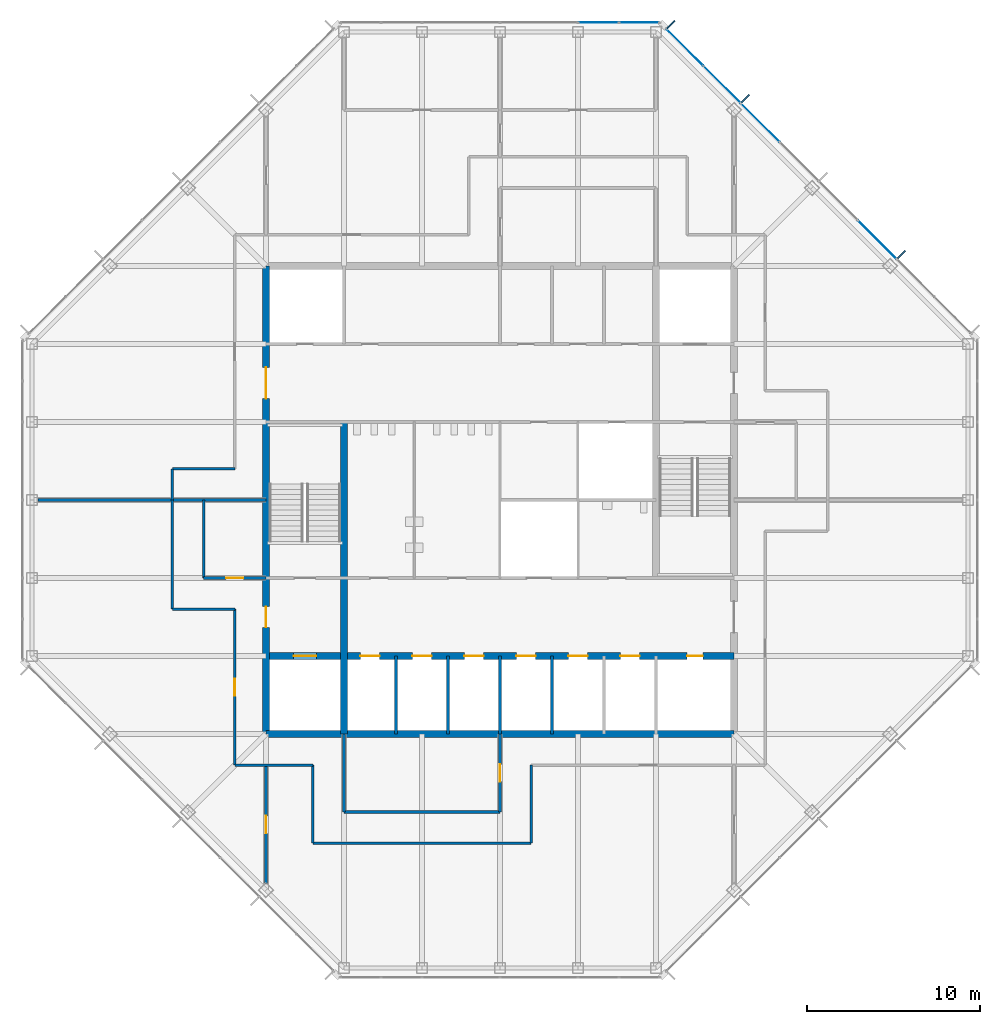
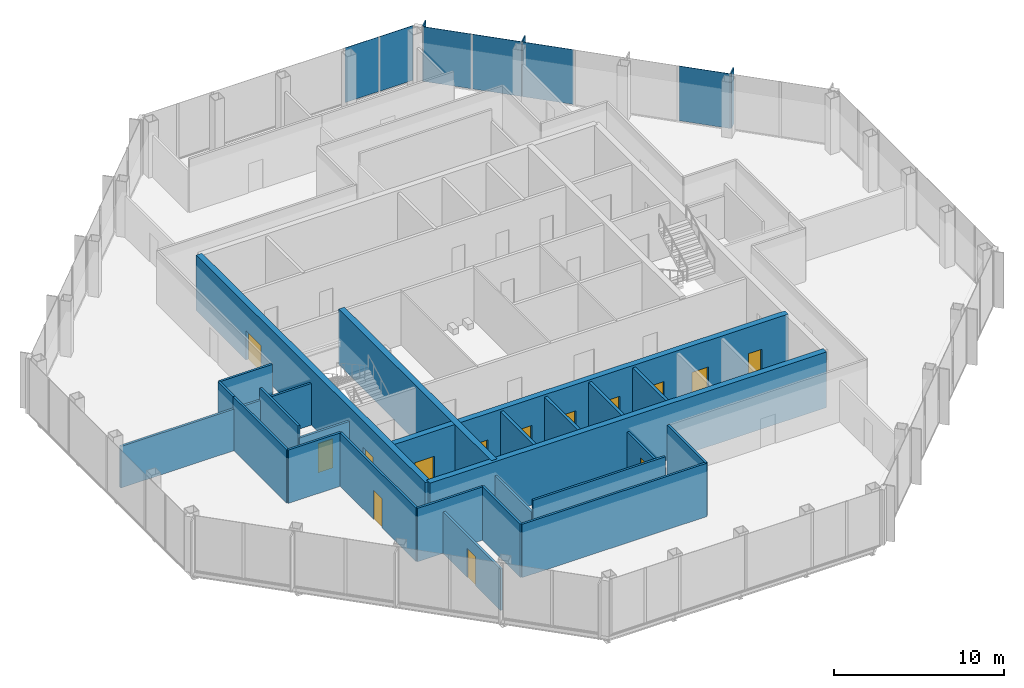
# One storey, part 9 of 13: 24 walls, 14 doors, 9 plates, 14 openings, 2 elements without a shape of their own.
"""IFC4 building model written with IfcOpenShell, lengths in metres."""

from ifc_helpers import new_model, si_unit, direction, frame, frame_2d, origin, origin_2d, place, context, subcontext, project, spatial, rectangle, extrude, material, layer, layer_set, type_object, element, fill, aggregate, save


model = new_model("IFC4")

# Units and contexts
model_context = context("Model", 3, precision=1e-05, world=origin(), true_north=direction((0.0, 1.0)))
body_context = subcontext(model_context, "Body", "Model", "MODEL_VIEW")
ifc_project = project(units=[si_unit("LENGTHUNIT", "METRE"), si_unit("AREAUNIT", "SQUARE_METRE"), si_unit("VOLUMEUNIT", "CUBIC_METRE"), si_unit("PLANEANGLEUNIT", "RADIAN"), si_unit("MASSUNIT", "GRAM", prefix="KILO")], contexts=[model_context])

# Site, building, storey
site_placement = place(None, origin())
site = spatial("IfcSite", under=ifc_project, at=site_placement, CompositionType="ELEMENT")
building_placement = place(site_placement, origin())
building = spatial("IfcBuilding", under=site, at=building_placement, Name="Corais Broadcast Tower", CompositionType="ELEMENT")
storey_placement = place(building_placement, frame((0.0, 0.0, 238.60009765625)))
storey = spatial("IfcBuildingStorey", under=building, at=storey_placement, Name="L55", CompositionType="ELEMENT", Elevation=238.60009765625)

# Curtain wall, plate
ifc_material_1 = material(Name="Aluminium and glass", Category="aluminium")
curtain_wall_type = type_object("IfcCurtainWallType", Name="Unitised fritted curtain wall CW3", PredefinedType="NOTDEFINED", material=ifc_material_1)
curtain_wall_1_placement = place(storey_placement, origin())
curtain_wall_1 = element("IfcCurtainWall", 1, at=curtain_wall_1_placement, inside=storey, type_object=curtain_wall_type, Name="CW3 curtain wall L55 4", PredefinedType="NOTDEFINED")
ifc_material_2 = material(Name="Ceramic-fritted laminated glass", Category="glass")
ifc_layer_1 = layer(ifc_material_2, 0.02587890625)
ifc_layer_set_1 = layer_set([ifc_layer_1], Name="Ceramic-fritted laminated glass")
plate_type_1 = type_object("IfcPlateType", Name="Fritted glass panel CW3", PredefinedType="CURTAIN_PANEL", material=ifc_layer_set_1)
plate_1_placement = place(storey_placement, frame((32.681884765625, 54.550048828125, 0.06494140625), z_axis=(0.0, 0.0, 1.0), x_axis=(1.0, 0.0, 0.0)))
plate_1 = element("IfcPlate", 2, at=plate_1_placement, type_object=plate_type_1, Name="CW3 panel 5", PredefinedType="CURTAIN_PANEL", context=body_context, shape_type="SweptSolid", body=[
    extrude(rectangle(XDim=2.298828125, YDim=0.02587890625, at=origin_2d()), origin(), (0.0, 0.0, 1.0), 3.93505859375),
])

# Curtain wall, plates
curtain_wall_2_placement = place(storey_placement, origin())
curtain_wall_2 = element("IfcCurtainWall", 3, at=curtain_wall_2_placement, inside=storey, type_object=curtain_wall_type, Name="CW3 curtain wall L55 5", PredefinedType="NOTDEFINED")
plate_2_placement = place(storey_placement, frame((37.669677734375, 53.108154296875, 0.06494140625), z_axis=(0.0, 0.0, 1.0), x_axis=(0.707106781187, -0.707106781187, 0.0)))
plate_2 = element("IfcPlate", 4, at=plate_2_placement, type_object=plate_type_1, Name="CW3 panel 1", PredefinedType="CURTAIN_PANEL", context=body_context, shape_type="SweptSolid", body=[
    extrude(rectangle(XDim=2.9482421875, YDim=0.02587890625, at=origin_2d()), origin(), (0.0, 0.0, 1.0), 3.93505859375),
])
plate_3_placement = place(storey_placement, frame((42.013916015625, 48.763916015625, 0.06494140625), z_axis=(0.0, 0.0, 1.0), x_axis=(0.707106781187, -0.707106781187, 0.0)))
plate_3 = element("IfcPlate", 5, at=plate_3_placement, type_object=plate_type_1, Name="CW3 panel 3", PredefinedType="CURTAIN_PANEL", context=body_context, shape_type="SweptSolid", body=[
    extrude(rectangle(XDim=3.116943359375, YDim=0.02587890625, at=origin_2d()), origin(), (0.0, 0.0, 1.0), 3.93505859375),
])

# Plate
ifc_material_3 = material(Name="Clear laminated glass", Category="glass")
ifc_layer_2 = layer(ifc_material_3, 0.030029296875)
ifc_layer_set_2 = layer_set([ifc_layer_2], Name="Clear laminated glass")
plate_type_2 = type_object("IfcPlateType", Name="Operable glass panel CW3", PredefinedType="CURTAIN_PANEL", material=ifc_layer_set_2)
plate_4_placement = place(storey_placement, frame((35.029541015625, 54.550048828125, 0.06494140625), z_axis=(0.0, 0.0, 1.0), x_axis=(1.0, 0.0, 0.0)))
plate_4 = element("IfcPlate", 6, at=plate_4_placement, type_object=plate_type_2, Name="CW3 operable panel 6", PredefinedType="CURTAIN_PANEL", context=body_context, shape_type="SweptSolid", body=[
    extrude(rectangle(XDim=2.266357421875, YDim=0.030029296875, at=origin_2d()), origin(), (0.0, 0.0, 1.0), 3.93505859375),
])

aggregate(curtain_wall_1, [plate_1, plate_4])

plate_5_placement = place(storey_placement, frame((39.81201171875, 50.9658203125, 0.06494140625), z_axis=(0.0, 0.0, 1.0), x_axis=(0.707106781187, -0.707106781187, 0.0)))
plate_5 = element("IfcPlate", 7, at=plate_5_placement, type_object=plate_type_2, Name="CW3 operable panel 2", PredefinedType="CURTAIN_PANEL", context=body_context, shape_type="SweptSolid", body=[
    extrude(rectangle(XDim=2.98095703125, YDim=0.030029296875, at=origin_2d()), origin(), (0.0, 0.0, 1.0), 3.93505859375),
])

plate_6_placement = place(storey_placement, frame((48.763916015625, 42.013916015625, 0.06494140625), z_axis=(0.0, 0.0, 1.0), x_axis=(0.707106781187, -0.707106781187, 0.0)))
plate_6 = element("IfcPlate", 8, at=plate_6_placement, type_object=plate_type_2, Name="CW3 operable panel 6", PredefinedType="CURTAIN_PANEL", context=body_context, shape_type="SweptSolid", body=[
    extrude(rectangle(XDim=3.116943359375, YDim=0.030029296875, at=origin_2d()), origin(), (0.0, 0.0, 1.0), 3.93505859375),
])

aggregate(curtain_wall_2, [plate_2, plate_5, plate_3, plate_6])

# Plates
ifc_material_4 = material(Name="Granite stone cladding", Category="masonry")
ifc_layer_3 = layer(ifc_material_4, 0.080078125)
ifc_layer_set_3 = layer_set([ifc_layer_3], Name="Granite stone cladding")
plate_type_3 = type_object("IfcPlateType", Name="Stone screen fin 80x600", PredefinedType="USERDEFINED", material=ifc_layer_set_3)
for number, where, z_axis, x_axis, name in (
    (9, (36.870849609375, 54.43994140625, 0.0), (0.0, 0.0, 1.0), (0.707106781187, -0.707106781187, 0.0), "SF1 stone screen fin L55"),
    (10, (41.155517578125, 50.155517578125, 0.0), (0.0, 0.0, 1.0), (0.707106781187, -0.707106781187, 0.0), "SF1 stone screen fin L55"),
    (11, (50.155517578125, 41.155517578125, 0.0), (0.0, 0.0, 1.0), (0.707106781187, -0.707106781187, 0.0), "SF1 stone screen fin L55"),
):
    element("IfcPlate", number, at=place(storey_placement, frame(where, z_axis=z_axis, x_axis=x_axis)), inside=storey, type_object=plate_type_3, Name=name, ObjectType="STONE SCREEN FIN", PredefinedType="USERDEFINED", context=body_context, shape_type="SweptSolid", body=[
        extrude(rectangle(XDim=0.080078125, YDim=0.60009765625, at=origin_2d()), origin(), (0.0, 0.0, 1.0), 4.0),
    ])

# Wall
ifc_material_5 = material(Name="Concrete C50/60", Category="concrete")
ifc_layer_4 = layer(ifc_material_5, 0.39990234375)
ifc_layer_set_4 = layer_set([ifc_layer_4], Name="Concrete C50/60")
wall_type_1 = type_object("IfcWallType", Name="Core wall 400", PredefinedType="SHEAR", material=ifc_layer_set_4)
wall_1_placement = place(storey_placement, frame((13.5, 13.5, 0.0), z_axis=(0.0, 0.0, 1.0), x_axis=(1.0, 0.0, 0.0)))
element("IfcWall", 12, at=wall_1_placement, inside=storey, type_object=wall_type_1, Name="CR400 core wall S L55", PredefinedType="SHEAR", context=body_context, shape_type="SweptSolid", body=[
    extrude(rectangle(XDim=27.0, YDim=0.39990234375, at=frame_2d((13.5, 0.0))), origin(), (0.0, 0.0, 1.0), 4.0),
])

# Wall, openings, doors
wall_2_placement = place(storey_placement, frame((13.5, 40.5, 0.0), z_axis=(0.0, 0.0, 1.0), x_axis=(0.0, -1.0, 0.0)))
wall_2 = element("IfcWall", 13, at=wall_2_placement, inside=storey, type_object=wall_type_1, Name="CR400 core wall W L55", PredefinedType="SHEAR", context=body_context, shape_type="SweptSolid", body=[
    extrude(rectangle(XDim=27.0, YDim=0.39990234375, at=frame_2d((13.5, 0.0))), origin(), (0.0, 0.0, 1.0), 4.0),
])
opening_1_placement = place(wall_2_placement, frame((19.64990234375, 0.0, 0.0)))
opening_1 = element("IfcOpeningElement", 14, at=opening_1_placement, cuts=wall_2, Name="Opening FD1", PredefinedType="OPENING", context=body_context, shape_type="SweptSolid", body=[
    extrude(rectangle(XDim=1.199951171875, YDim=2.10009765625, at=frame_2d((0.60009765625, 1.050048828125))), frame((0.0, 0.2099609375, 0.0), z_axis=(0.0, -1.0, 0.0), x_axis=(1.0, 0.0, 0.0)), (0.0, 0.0, 1.0), 0.419921875),
])
opening_2_placement = place(wall_2_placement, frame((5.85009765625, 0.0, 0.0)))
opening_2 = element("IfcOpeningElement", 15, at=opening_2_placement, cuts=wall_2, Name="Opening FD2", PredefinedType="OPENING", context=body_context, shape_type="SweptSolid", body=[
    extrude(rectangle(XDim=1.800048828125, YDim=2.10009765625, at=frame_2d((0.89990234375, 1.050048828125))), frame((0.0, 0.2099609375, 0.0), z_axis=(0.0, -1.0, 0.0), x_axis=(1.0, 0.0, 0.0)), (0.0, 0.0, 1.0), 0.419921875),
])
ifc_material_6 = material(Name="Steel fire door", Category="steel")
door_type_1 = type_object("IfcDoorType", Name="Fire door 1200x2100", OperationType="SINGLE_SWING_LEFT", PredefinedType="DOOR", material=ifc_material_6)
door_1_placement = place(opening_1_placement, origin())
door_1 = element("IfcDoor", 16, at=door_1_placement, inside=storey, type_object=door_type_1, Name="FD1 fire lobby A door L55", OperationType="SINGLE_SWING_RIGHT", OverallHeight=2.10009765625, OverallWidth=1.199951171875, PredefinedType="DOOR", context=body_context, shape_type="SweptSolid", body=[
    extrude(rectangle(XDim=1.199951171875, YDim=2.10009765625, at=frame_2d((0.60009765625, 1.050048828125))), frame((0.0, 0.02490234375, 0.0), z_axis=(0.0, -1.0, 0.0), x_axis=(1.0, 0.0, 0.0)), (0.0, 0.0, 1.0), 0.050048828125),
])
fill(opening_1, door_1)
ifc_material_7 = material(Name="Steel fire door", Category="steel")
door_type_2 = type_object("IfcDoorType", Name="Fire door pair 1800x2100", OperationType="DOUBLE_DOOR_SINGLE_SWING", PredefinedType="DOOR", material=ifc_material_7)
door_2_placement = place(opening_2_placement, origin())
door_2 = element("IfcDoor", 17, at=door_2_placement, inside=storey, type_object=door_type_2, Name="FD2 lift lobby door L55", OperationType="SINGLE_SWING_LEFT", OverallHeight=2.10009765625, OverallWidth=1.800048828125, PredefinedType="DOOR", context=body_context, shape_type="SweptSolid", body=[
    extrude(rectangle(XDim=1.800048828125, YDim=2.10009765625, at=frame_2d((0.89990234375, 1.050048828125))), frame((0.0, 0.02490234375, 0.0), z_axis=(0.0, -1.0, 0.0), x_axis=(1.0, 0.0, 0.0)), (0.0, 0.0, 1.0), 0.050048828125),
])
fill(opening_2, door_2)

# Wall
wall_3_placement = place(storey_placement, frame((18.0, 13.5, 0.0), z_axis=(0.0, 0.0, 1.0), x_axis=(0.0, 1.0, 0.0)))
element("IfcWall", 18, at=wall_3_placement, inside=storey, type_object=wall_type_1, Name="CR400 core wall X18A L55", PredefinedType="SHEAR", context=body_context, shape_type="SweptSolid", body=[
    extrude(rectangle(XDim=18.0, YDim=0.39990234375, at=frame_2d((9.0, 0.0))), origin(), (0.0, 0.0, 1.0), 4.0),
])

# Wall, openings, doors
wall_4_placement = place(storey_placement, frame((13.5, 18.0, 0.0), z_axis=(0.0, 0.0, 1.0), x_axis=(1.0, 0.0, 0.0)))
wall_4 = element("IfcWall", 19, at=wall_4_placement, inside=storey, type_object=wall_type_1, Name="CR400 core wall Y18 L55", PredefinedType="SHEAR", context=body_context, shape_type="SweptSolid", body=[
    extrude(rectangle(XDim=27.0, YDim=0.39990234375, at=frame_2d((13.5, 0.0))), origin(), (0.0, 0.0, 1.0), 4.0),
])
opening_3_placement = place(wall_4_placement, frame((24.300048828125, 0.0, 0.0)))
opening_3 = element("IfcOpeningElement", 20, at=opening_3_placement, cuts=wall_4, Name="Opening RD1", PredefinedType="OPENING", context=body_context, shape_type="SweptSolid", body=[
    extrude(rectangle(XDim=0.89990234375, YDim=2.10009765625, at=frame_2d((0.449951171875, 1.050048828125))), frame((0.0, 0.2099609375, 0.0), z_axis=(0.0, -1.0, 0.0), x_axis=(1.0, 0.0, 0.0)), (0.0, 0.0, 1.0), 0.419921875),
])
opening_4_placement = place(wall_4_placement, frame((5.449951171875, 0.0, 0.0)))
opening_4 = element("IfcOpeningElement", 21, at=opening_4_placement, cuts=wall_4, Name="Opening LD1", PredefinedType="OPENING", context=body_context, shape_type="SweptSolid", body=[
    extrude(rectangle(XDim=1.10009765625, YDim=2.10009765625, at=frame_2d((0.550048828125, 1.050048828125))), frame((0.0, 0.2099609375, 0.0), z_axis=(0.0, -1.0, 0.0), x_axis=(1.0, 0.0, 0.0)), (0.0, 0.0, 1.0), 0.419921875),
])
opening_5_placement = place(wall_4_placement, frame((8.449951171875, 0.0, 0.0)))
opening_5 = element("IfcOpeningElement", 22, at=opening_5_placement, cuts=wall_4, Name="Opening LD1", PredefinedType="OPENING", context=body_context, shape_type="SweptSolid", body=[
    extrude(rectangle(XDim=1.10009765625, YDim=2.10009765625, at=frame_2d((0.550048828125, 1.050048828125))), frame((0.0, 0.2099609375, 0.0), z_axis=(0.0, -1.0, 0.0), x_axis=(1.0, 0.0, 0.0)), (0.0, 0.0, 1.0), 0.419921875),
])
opening_6_placement = place(wall_4_placement, frame((11.449951171875, 0.0, 0.0)))
opening_6 = element("IfcOpeningElement", 23, at=opening_6_placement, cuts=wall_4, Name="Opening LD1", PredefinedType="OPENING", context=body_context, shape_type="SweptSolid", body=[
    extrude(rectangle(XDim=1.10009765625, YDim=2.10009765625, at=frame_2d((0.550048828125, 1.050048828125))), frame((0.0, 0.2099609375, 0.0), z_axis=(0.0, -1.0, 0.0), x_axis=(1.0, 0.0, 0.0)), (0.0, 0.0, 1.0), 0.419921875),
])
opening_7_placement = place(wall_4_placement, frame((14.449951171875, 0.0, 0.0)))
opening_7 = element("IfcOpeningElement", 24, at=opening_7_placement, cuts=wall_4, Name="Opening LD1", PredefinedType="OPENING", context=body_context, shape_type="SweptSolid", body=[
    extrude(rectangle(XDim=1.10009765625, YDim=2.10009765625, at=frame_2d((0.550048828125, 1.050048828125))), frame((0.0, 0.2099609375, 0.0), z_axis=(0.0, -1.0, 0.0), x_axis=(1.0, 0.0, 0.0)), (0.0, 0.0, 1.0), 0.419921875),
])
opening_8_placement = place(wall_4_placement, frame((17.449951171875, 0.0, 0.0)))
opening_8 = element("IfcOpeningElement", 25, at=opening_8_placement, cuts=wall_4, Name="Opening LD1", PredefinedType="OPENING", context=body_context, shape_type="SweptSolid", body=[
    extrude(rectangle(XDim=1.10009765625, YDim=2.10009765625, at=frame_2d((0.550048828125, 1.050048828125))), frame((0.0, 0.2099609375, 0.0), z_axis=(0.0, -1.0, 0.0), x_axis=(1.0, 0.0, 0.0)), (0.0, 0.0, 1.0), 0.419921875),
])
opening_9_placement = place(wall_4_placement, frame((20.449951171875, 0.0, 0.0)))
opening_9 = element("IfcOpeningElement", 26, at=opening_9_placement, cuts=wall_4, Name="Opening LD1", PredefinedType="OPENING", context=body_context, shape_type="SweptSolid", body=[
    extrude(rectangle(XDim=1.10009765625, YDim=2.10009765625, at=frame_2d((0.550048828125, 1.050048828125))), frame((0.0, 0.2099609375, 0.0), z_axis=(0.0, -1.0, 0.0), x_axis=(1.0, 0.0, 0.0)), (0.0, 0.0, 1.0), 0.419921875),
])
opening_10_placement = place(wall_4_placement, frame((1.60009765625, 0.0, 0.0)))
opening_10 = element("IfcOpeningElement", 27, at=opening_10_placement, cuts=wall_4, Name="Opening LD2", PredefinedType="OPENING", context=body_context, shape_type="SweptSolid", body=[
    extrude(rectangle(XDim=1.300048828125, YDim=2.199951171875, at=frame_2d((0.64990234375, 1.10009765625))), frame((0.0, 0.2099609375, 0.0), z_axis=(0.0, -1.0, 0.0), x_axis=(1.0, 0.0, 0.0)), (0.0, 0.0, 1.0), 0.419921875),
])
ifc_material_8 = material(Name="Stainless steel lift door", Category="steel")
door_type_3 = type_object("IfcDoorType", Name="Lift landing door 1100x2100", OperationType="SLIDING_TO_LEFT", PredefinedType="DOOR", material=ifc_material_8)
door_3_placement = place(opening_4_placement, origin())
door_3 = element("IfcDoor", 28, at=door_3_placement, inside=storey, type_object=door_type_3, Name="LD1 PH1 landing door L55", OperationType="SLIDING_TO_LEFT", OverallHeight=2.10009765625, OverallWidth=1.10009765625, PredefinedType="DOOR", context=body_context, shape_type="SweptSolid", body=[
    extrude(rectangle(XDim=1.10009765625, YDim=2.10009765625, at=frame_2d((0.550048828125, 1.050048828125))), frame((0.0, 0.02490234375, 0.0), z_axis=(0.0, -1.0, 0.0), x_axis=(1.0, 0.0, 0.0)), (0.0, 0.0, 1.0), 0.050048828125),
])
fill(opening_4, door_3)
door_4_placement = place(opening_5_placement, origin())
door_4 = element("IfcDoor", 29, at=door_4_placement, inside=storey, type_object=door_type_3, Name="LD1 PH2 landing door L55", OperationType="SLIDING_TO_LEFT", OverallHeight=2.10009765625, OverallWidth=1.10009765625, PredefinedType="DOOR", context=body_context, shape_type="SweptSolid", body=[
    extrude(rectangle(XDim=1.10009765625, YDim=2.10009765625, at=frame_2d((0.550048828125, 1.050048828125))), frame((0.0, 0.02490234375, 0.0), z_axis=(0.0, -1.0, 0.0), x_axis=(1.0, 0.0, 0.0)), (0.0, 0.0, 1.0), 0.050048828125),
])
fill(opening_5, door_4)
door_5_placement = place(opening_6_placement, origin())
door_5 = element("IfcDoor", 30, at=door_5_placement, inside=storey, type_object=door_type_3, Name="LD1 PH3 landing door L55", OperationType="SLIDING_TO_LEFT", OverallHeight=2.10009765625, OverallWidth=1.10009765625, PredefinedType="DOOR", context=body_context, shape_type="SweptSolid", body=[
    extrude(rectangle(XDim=1.10009765625, YDim=2.10009765625, at=frame_2d((0.550048828125, 1.050048828125))), frame((0.0, 0.02490234375, 0.0), z_axis=(0.0, -1.0, 0.0), x_axis=(1.0, 0.0, 0.0)), (0.0, 0.0, 1.0), 0.050048828125),
])
fill(opening_6, door_5)
door_6_placement = place(opening_7_placement, origin())
door_6 = element("IfcDoor", 31, at=door_6_placement, inside=storey, type_object=door_type_3, Name="LD1 PH4 landing door L55", OperationType="SLIDING_TO_LEFT", OverallHeight=2.10009765625, OverallWidth=1.10009765625, PredefinedType="DOOR", context=body_context, shape_type="SweptSolid", body=[
    extrude(rectangle(XDim=1.10009765625, YDim=2.10009765625, at=frame_2d((0.550048828125, 1.050048828125))), frame((0.0, 0.02490234375, 0.0), z_axis=(0.0, -1.0, 0.0), x_axis=(1.0, 0.0, 0.0)), (0.0, 0.0, 1.0), 0.050048828125),
])
fill(opening_7, door_6)
door_7_placement = place(opening_8_placement, origin())
door_7 = element("IfcDoor", 32, at=door_7_placement, inside=storey, type_object=door_type_3, Name="LD1 PH5 landing door L55", OperationType="SLIDING_TO_LEFT", OverallHeight=2.10009765625, OverallWidth=1.10009765625, PredefinedType="DOOR", context=body_context, shape_type="SweptSolid", body=[
    extrude(rectangle(XDim=1.10009765625, YDim=2.10009765625, at=frame_2d((0.550048828125, 1.050048828125))), frame((0.0, 0.02490234375, 0.0), z_axis=(0.0, -1.0, 0.0), x_axis=(1.0, 0.0, 0.0)), (0.0, 0.0, 1.0), 0.050048828125),
])
fill(opening_8, door_7)
door_8_placement = place(opening_9_placement, origin())
door_8 = element("IfcDoor", 33, at=door_8_placement, inside=storey, type_object=door_type_3, Name="LD1 PH6 landing door L55", OperationType="SLIDING_TO_LEFT", OverallHeight=2.10009765625, OverallWidth=1.10009765625, PredefinedType="DOOR", context=body_context, shape_type="SweptSolid", body=[
    extrude(rectangle(XDim=1.10009765625, YDim=2.10009765625, at=frame_2d((0.550048828125, 1.050048828125))), frame((0.0, 0.02490234375, 0.0), z_axis=(0.0, -1.0, 0.0), x_axis=(1.0, 0.0, 0.0)), (0.0, 0.0, 1.0), 0.050048828125),
])
fill(opening_9, door_8)
ifc_material_9 = material(Name="Stainless steel lift door", Category="steel")
door_type_4 = type_object("IfcDoorType", Name="Lift landing door 1300x2200", OperationType="SLIDING_TO_LEFT", PredefinedType="DOOR", material=ifc_material_9)
door_9_placement = place(opening_10_placement, origin())
door_9 = element("IfcDoor", 34, at=door_9_placement, inside=storey, type_object=door_type_4, Name="LD2 FL1 landing door L55", OperationType="SLIDING_TO_LEFT", OverallHeight=2.199951171875, OverallWidth=1.300048828125, PredefinedType="DOOR", context=body_context, shape_type="SweptSolid", body=[
    extrude(rectangle(XDim=1.300048828125, YDim=2.199951171875, at=frame_2d((0.64990234375, 1.10009765625))), frame((0.0, 0.02490234375, 0.0), z_axis=(0.0, -1.0, 0.0), x_axis=(1.0, 0.0, 0.0)), (0.0, 0.0, 1.0), 0.050048828125),
])
fill(opening_10, door_9)
ifc_material_10 = material(Name="Steel fire door", Category="steel")
door_type_5 = type_object("IfcDoorType", Name="Riser door 900x2100", OperationType="SINGLE_SWING_LEFT", PredefinedType="DOOR", material=ifc_material_10)
door_10_placement = place(opening_3_placement, origin())
door_10 = element("IfcDoor", 35, at=door_10_placement, inside=storey, type_object=door_type_5, Name="RD1 riser door L55", OperationType="SINGLE_SWING_RIGHT", OverallHeight=2.10009765625, OverallWidth=0.89990234375, PredefinedType="DOOR", context=body_context, shape_type="SweptSolid", body=[
    extrude(rectangle(XDim=0.89990234375, YDim=2.10009765625, at=frame_2d((0.449951171875, 1.050048828125))), frame((0.0, 0.02490234375, 0.0), z_axis=(0.0, -1.0, 0.0), x_axis=(1.0, 0.0, 0.0)), (0.0, 0.0, 1.0), 0.050048828125),
])
fill(opening_3, door_10)

# Walls
ifc_material_11 = material(Name="Two layers of fire-rated gypsum board each side on steel studs", Category="steel")
ifc_layer_5 = layer(ifc_material_11, 0.14990234375)
ifc_layer_set_5 = layer_set([ifc_layer_5], Name="Two layers of fire-rated gypsum board each side on steel studs")
wall_type_2 = type_object("IfcWallType", Name="Fire-rated partition 150 EI 60", PredefinedType="PARTITIONING", material=ifc_layer_set_5)
wall_5_placement = place(storey_placement, frame((0.3349609375, 27.0, 0.0), z_axis=(0.0, 0.0, 1.0), x_axis=(1.0, 0.0, 0.0)))
element("IfcWall", 36, at=wall_5_placement, inside=storey, type_object=wall_type_2, Name="IW7 tenancy wall L55", PredefinedType="PARTITIONING", context=body_context, shape_type="SweptSolid", body=[
    extrude(rectangle(XDim=13.1650390625, YDim=0.14990234375, at=frame_2d((6.58251953125, 0.0))), origin(), (0.0, 0.0, 1.0), 2.989013671875),
])
ifc_material_12 = material(Name="Gypsum board on steel studs", Category="steel")
ifc_layer_6 = layer(ifc_material_12, 0.14990234375)
ifc_layer_set_6 = layer_set([ifc_layer_6], Name="Gypsum board on steel studs")
wall_type_3 = type_object("IfcWallType", Name="Partition 150", PredefinedType="PARTITIONING", material=ifc_layer_set_6)
wall_6_placement = place(storey_placement, frame((16.199951171875, 7.199951171875, 0.0), z_axis=(0.0, 0.0, 1.0), x_axis=(1.0, 0.0, 0.0)))
element("IfcWall", 37, at=wall_6_placement, inside=storey, type_object=wall_type_3, Name="IW3 corridor wall L55", PredefinedType="PARTITIONING", context=body_context, shape_type="SweptSolid", body=[
    extrude(rectangle(XDim=12.60009765625, YDim=0.14990234375, at=frame_2d((6.300048828125, 0.0))), origin(), (0.0, 0.0, 1.0), 3.83984375),
])

# Wall, opening, door
wall_7_placement = place(storey_placement, frame((11.699951171875, 20.699951171875, 0.0), z_axis=(0.0, 0.0, 1.0), x_axis=(0.0, -1.0, 0.0)))
wall_7 = element("IfcWall", 38, at=wall_7_placement, inside=storey, type_object=wall_type_3, Name="IW3 corridor wall L55", PredefinedType="PARTITIONING", context=body_context, shape_type="SweptSolid", body=[
    extrude(rectangle(XDim=9.0, YDim=0.14990234375, at=frame_2d((4.5, 0.0))), origin(), (0.0, 0.0, 1.0), 3.83984375),
])
opening_11_placement = place(wall_7_placement, frame((4.0, 0.0, 0.0)))
opening_11 = element("IfcOpeningElement", 39, at=opening_11_placement, cuts=wall_7, Name="Opening D1", PredefinedType="OPENING", context=body_context, shape_type="SweptSolid", body=[
    extrude(rectangle(XDim=1.0, YDim=2.10009765625, at=frame_2d((0.5, 1.050048828125))), frame((0.0, 0.0849609375, 0.0), z_axis=(0.0, -1.0, 0.0), x_axis=(1.0, 0.0, 0.0)), (0.0, 0.0, 1.0), 0.169921875),
])
ifc_material_13 = material(Name="Timber door", Category="wood")
door_type_6 = type_object("IfcDoorType", Name="Single door 1000x2100", OperationType="SINGLE_SWING_LEFT", PredefinedType="DOOR", material=ifc_material_13)
door_11_placement = place(opening_11_placement, origin())
door_11 = element("IfcDoor", 40, at=door_11_placement, inside=storey, type_object=door_type_6, Name="D1 workplace door L55", OperationType="SINGLE_SWING_LEFT", OverallHeight=2.10009765625, OverallWidth=1.0, PredefinedType="DOOR", context=body_context, shape_type="SweptSolid", body=[
    extrude(rectangle(XDim=1.0, YDim=2.10009765625, at=frame_2d((0.5, 1.050048828125))), frame((0.0, 0.02490234375, 0.0), z_axis=(0.0, -1.0, 0.0), x_axis=(1.0, 0.0, 0.0)), (0.0, 0.0, 1.0), 0.050048828125),
])
fill(opening_11, door_11)

# Walls
wall_8_placement = place(storey_placement, frame((8.10009765625, 26.99951171875, 0.0), z_axis=(0.0, 0.0, 1.0), x_axis=(0.0, -1.0, 0.0)))
element("IfcWall", 41, at=wall_8_placement, inside=storey, type_object=wall_type_3, Name="IW3 corridor wall L55", PredefinedType="PARTITIONING", context=body_context, shape_type="SweptSolid", body=[
    extrude(rectangle(XDim=6.299560546875, YDim=0.14990234375, at=frame_2d((3.14990234375, 0.0))), origin(), (0.0, 0.0, 1.0), 3.83984375),
])
for number, where, z_axis, x_axis, name in (
    (42, (11.699951171875, 11.699951171875, 0.0), (0.0, 0.0, 1.0), (1.0, 0.0, 0.0), "IW3 corridor wall L55"),
    (43, (16.199951171875, 11.699951171875, 0.0), (0.0, 0.0, 1.0), (0.0, -1.0, 0.0), "IW3 corridor wall L55"),
    (44, (28.800048828125, 7.199951171875, 0.0), (0.0, 0.0, 1.0), (0.0, 1.0, 0.0), "IW3 corridor wall L55"),
):
    element("IfcWall", number, at=place(storey_placement, frame(where, z_axis=z_axis, x_axis=x_axis)), inside=storey, type_object=wall_type_3, Name=name, PredefinedType="PARTITIONING", context=body_context, shape_type="SweptSolid", body=[
        extrude(rectangle(XDim=4.5, YDim=0.14990234375, at=frame_2d((2.25, 0.0))), origin(), (0.0, 0.0, 1.0), 3.83984375),
    ])
for number, where, z_axis, x_axis, name in (
    (45, (8.10009765625, 20.699951171875, 0.0), (0.0, 0.0, 1.0), (1.0, 0.0, 0.0), "IW3 corridor wall L55"),
    (46, (11.699951171875, 28.800048828125, 0.0), (0.0, 0.0, 1.0), (-1.0, 0.0, 0.0), "IW3 corridor wall L55"),
):
    element("IfcWall", number, at=place(storey_placement, frame(where, z_axis=z_axis, x_axis=x_axis)), inside=storey, type_object=wall_type_3, Name=name, PredefinedType="PARTITIONING", context=body_context, shape_type="SweptSolid", body=[
        extrude(rectangle(XDim=3.599853515625, YDim=0.14990234375, at=frame_2d((1.7998046875, 0.0))), origin(), (0.0, 0.0, 1.0), 3.83984375),
    ])
wall_9_placement = place(storey_placement, frame((8.10009765625, 28.800048828125, 0.0), z_axis=(0.0, 0.0, 1.0), x_axis=(0.0, -1.0, 0.0)))
element("IfcWall", 47, at=wall_9_placement, inside=storey, type_object=wall_type_3, Name="IW3 corridor wall L55", PredefinedType="PARTITIONING", context=body_context, shape_type="SweptSolid", body=[
    extrude(rectangle(XDim=1.799560546875, YDim=0.14990234375, at=frame_2d((0.89990234375, 0.0))), origin(), (0.0, 0.0, 1.0), 3.83984375),
])
wall_10_placement = place(storey_placement, frame((18.0, 9.0, 0.0), z_axis=(0.0, 0.0, 1.0), x_axis=(1.0, 0.0, 0.0)))
element("IfcWall", 48, at=wall_10_placement, inside=storey, type_object=wall_type_3, Name="IW3 partition L55", PredefinedType="PARTITIONING", context=body_context, shape_type="SweptSolid", body=[
    extrude(rectangle(XDim=9.0, YDim=0.14990234375, at=frame_2d((4.5, 0.0))), origin(), (0.0, 0.0, 1.0), 3.83984375),
])

# Wall, opening, door
wall_11_placement = place(storey_placement, frame((27.0, 9.0, 0.0), z_axis=(0.0, 0.0, 1.0), x_axis=(0.0, 1.0, 0.0)))
wall_11 = element("IfcWall", 49, at=wall_11_placement, inside=storey, type_object=wall_type_3, Name="IW3 partition L55", PredefinedType="PARTITIONING", context=body_context, shape_type="SweptSolid", body=[
    extrude(rectangle(XDim=4.5, YDim=0.14990234375, at=frame_2d((2.25, 0.0))), origin(), (0.0, 0.0, 1.0), 2.989013671875),
])
opening_12_placement = place(wall_11_placement, frame((1.75, 0.0, 0.0)))
opening_12 = element("IfcOpeningElement", 50, at=opening_12_placement, cuts=wall_11, Name="Opening D1", PredefinedType="OPENING", context=body_context, shape_type="SweptSolid", body=[
    extrude(rectangle(XDim=1.0, YDim=2.10009765625, at=frame_2d((0.5, 1.050048828125))), frame((0.0, 0.0849609375, 0.0), z_axis=(0.0, -1.0, 0.0), x_axis=(1.0, 0.0, 0.0)), (0.0, 0.0, 1.0), 0.169921875),
])
door_12_placement = place(opening_12_placement, origin())
door_12 = element("IfcDoor", 51, at=door_12_placement, inside=storey, type_object=door_type_6, Name="D1 Meeting room door", OperationType="SINGLE_SWING_LEFT", OverallHeight=2.10009765625, OverallWidth=1.0, PredefinedType="DOOR", context=body_context, shape_type="SweptSolid", body=[
    extrude(rectangle(XDim=1.0, YDim=2.10009765625, at=frame_2d((0.5, 1.050048828125))), frame((0.0, 0.02490234375, 0.0), z_axis=(0.0, -1.0, 0.0), x_axis=(1.0, 0.0, 0.0)), (0.0, 0.0, 1.0), 0.050048828125),
])
fill(opening_12, door_12)

# Wall
wall_12_placement = place(storey_placement, frame((18.0, 13.5, 0.0), z_axis=(0.0, 0.0, 1.0), x_axis=(0.0, -1.0, 0.0)))
element("IfcWall", 52, at=wall_12_placement, inside=storey, type_object=wall_type_3, Name="IW3 partition L55", PredefinedType="PARTITIONING", context=body_context, shape_type="SweptSolid", body=[
    extrude(rectangle(XDim=4.5, YDim=0.14990234375, at=frame_2d((2.25, 0.0))), origin(), (0.0, 0.0, 1.0), 2.989013671875),
])

# Wall, opening, door
wall_13_placement = place(storey_placement, frame((9.89990234375, 22.5, 0.0), z_axis=(0.0, 0.0, 1.0), x_axis=(1.0, 0.0, 0.0)))
wall_13 = element("IfcWall", 53, at=wall_13_placement, inside=storey, type_object=wall_type_3, Name="IW3 partition L55", PredefinedType="PARTITIONING", context=body_context, shape_type="SweptSolid", body=[
    extrude(rectangle(XDim=3.60009765625, YDim=0.14990234375, at=frame_2d((1.800048828125, 0.0))), origin(), (0.0, 0.0, 1.0), 2.989013671875),
])
opening_13_placement = place(wall_13_placement, frame((1.300048828125, 0.0, 0.0)))
opening_13 = element("IfcOpeningElement", 54, at=opening_13_placement, cuts=wall_13, Name="Opening D1", PredefinedType="OPENING", context=body_context, shape_type="SweptSolid", body=[
    extrude(rectangle(XDim=1.0, YDim=2.10009765625, at=frame_2d((0.5, 1.050048828125))), frame((0.0, 0.0849609375, 0.0), z_axis=(0.0, -1.0, 0.0), x_axis=(1.0, 0.0, 0.0)), (0.0, 0.0, 1.0), 0.169921875),
])
door_13_placement = place(opening_13_placement, origin())
door_13 = element("IfcDoor", 55, at=door_13_placement, inside=storey, type_object=door_type_6, Name="D1 Pantry door", OperationType="SINGLE_SWING_LEFT", OverallHeight=2.10009765625, OverallWidth=1.0, PredefinedType="DOOR", context=body_context, shape_type="SweptSolid", body=[
    extrude(rectangle(XDim=1.0, YDim=2.10009765625, at=frame_2d((0.5, 1.050048828125))), frame((0.0, 0.02490234375, 0.0), z_axis=(0.0, -1.0, 0.0), x_axis=(1.0, 0.0, 0.0)), (0.0, 0.0, 1.0), 0.050048828125),
])
fill(opening_13, door_13)

# Wall
wall_14_placement = place(storey_placement, frame((9.89990234375, 27.0, 0.0), z_axis=(0.0, 0.0, 1.0), x_axis=(0.0, -1.0, 0.0)))
element("IfcWall", 56, at=wall_14_placement, inside=storey, type_object=wall_type_3, Name="IW3 partition L55", PredefinedType="PARTITIONING", context=body_context, shape_type="SweptSolid", body=[
    extrude(rectangle(XDim=4.5, YDim=0.14990234375, at=frame_2d((2.25, 0.0))), origin(), (0.0, 0.0, 1.0), 3.83984375),
])

# Wall, opening, door
wall_15_placement = place(storey_placement, frame((13.5, 4.844970703125, 0.0), z_axis=(0.0, 0.0, 1.0), x_axis=(0.0, 1.0, 0.0)))
wall_15 = element("IfcWall", 57, at=wall_15_placement, inside=storey, type_object=wall_type_3, Name="IW3 partition L55", PredefinedType="PARTITIONING", context=body_context, shape_type="SweptSolid", body=[
    extrude(rectangle(XDim=6.85498046875, YDim=0.14990234375, at=frame_2d((3.427490234375, 0.0))), origin(), (0.0, 0.0, 1.0), 2.989013671875),
])
opening_14_placement = place(wall_15_placement, frame((2.927490234375, 0.0, 0.0)))
opening_14 = element("IfcOpeningElement", 58, at=opening_14_placement, cuts=wall_15, Name="Opening D1", PredefinedType="OPENING", context=body_context, shape_type="SweptSolid", body=[
    extrude(rectangle(XDim=1.0, YDim=2.10009765625, at=frame_2d((0.5, 1.050048828125))), frame((0.0, 0.0849609375, 0.0), z_axis=(0.0, -1.0, 0.0), x_axis=(1.0, 0.0, 0.0)), (0.0, 0.0, 1.0), 0.169921875),
])
door_14_placement = place(opening_14_placement, origin())
door_14 = element("IfcDoor", 59, at=door_14_placement, inside=storey, type_object=door_type_6, Name="D1 team room door L55", OperationType="SINGLE_SWING_LEFT", OverallHeight=2.10009765625, OverallWidth=1.0, PredefinedType="DOOR", context=body_context, shape_type="SweptSolid", body=[
    extrude(rectangle(XDim=1.0, YDim=2.10009765625, at=frame_2d((0.5, 1.050048828125))), frame((0.0, 0.02490234375, 0.0), z_axis=(0.0, -1.0, 0.0), x_axis=(1.0, 0.0, 0.0)), (0.0, 0.0, 1.0), 0.050048828125),
])
fill(opening_14, door_14)

# Walls
ifc_material_14 = material(Name="Concrete blockwork class A, grouted, two-hour", Category="masonry")
ifc_layer_7 = layer(ifc_material_14, 0.199951171875)
ifc_layer_set_7 = layer_set([ifc_layer_7], Name="Concrete blockwork class A, grouted, two-hour")
wall_type_4 = type_object("IfcWallType", Name="Shaft wall 200", PredefinedType="PARTITIONING", material=ifc_layer_set_7)
for number, where, z_axis, x_axis, name in (
    (60, (21.0, 13.5, 0.0), (0.0, 0.0, 1.0), (0.0, 1.0, 0.0), "IW1 shaft wall L55"),
    (61, (24.0, 13.5, 0.0), (0.0, 0.0, 1.0), (0.0, 1.0, 0.0), "IW1 shaft wall L55"),
    (62, (27.0, 13.5, 0.0), (0.0, 0.0, 1.0), (0.0, 1.0, 0.0), "IW1 shaft wall L55"),
    (63, (30.0, 13.5, 0.0), (0.0, 0.0, 1.0), (0.0, 1.0, 0.0), "IW1 shaft wall L55"),
):
    element("IfcWall", number, at=place(storey_placement, frame(where, z_axis=z_axis, x_axis=x_axis)), inside=storey, type_object=wall_type_4, Name=name, PredefinedType="PARTITIONING", context=body_context, shape_type="SweptSolid", body=[
        extrude(rectangle(XDim=4.5, YDim=0.199951171875, at=frame_2d((2.25, 0.0))), origin(), (0.0, 0.0, 1.0), 3.83984375),
    ])

save(model, "model.ifc")
